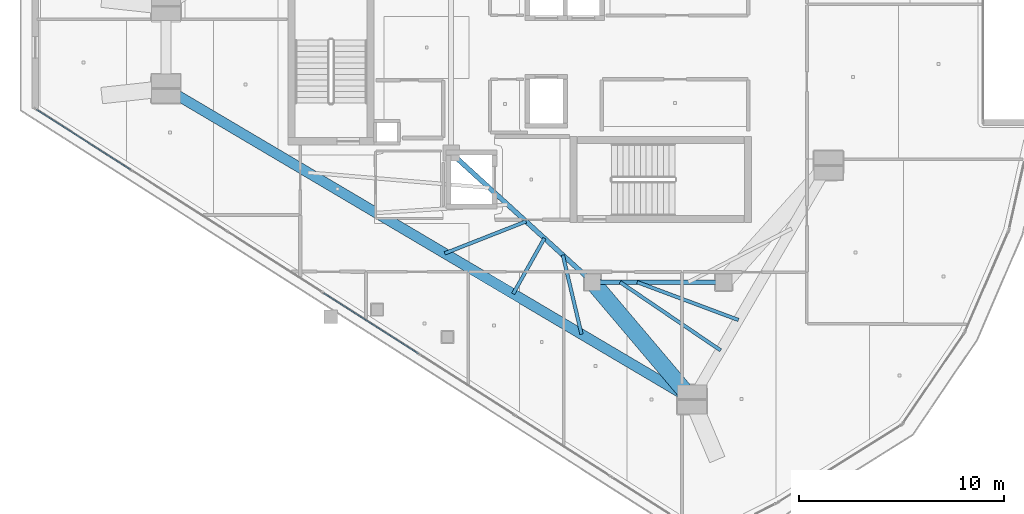
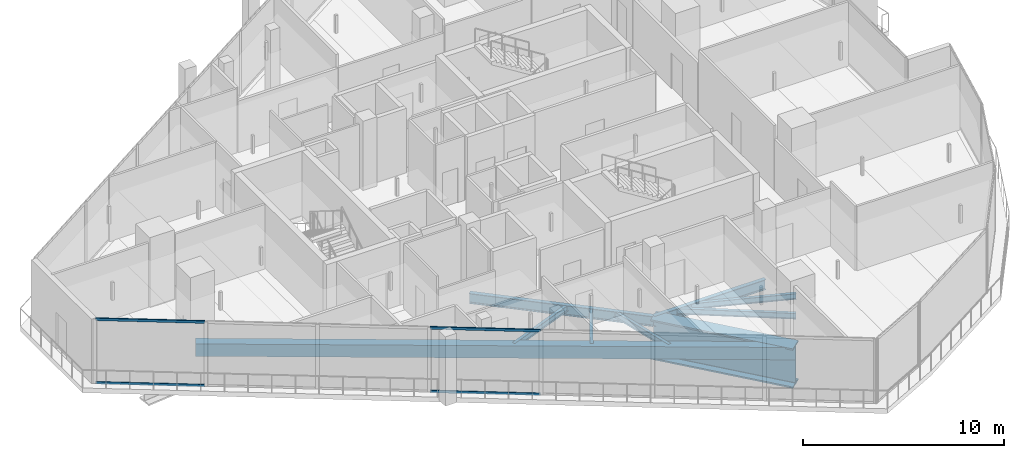
# One storey, part 4 of 29: 9 beams, 4 members, 1 element without a shape of its own.
"""IFC4 building model written with IfcOpenShell, lengths in metres."""

from ifc_helpers import new_model, si_unit, direction, frame, origin, origin_2d, place, context, subcontext, project, spatial, rectangle, hollow_rectangle, i_section, extrude, material, layer, layer_set, material_profile, profile_set, type_object, element, aggregate, save


model = new_model("IFC4")

# Units and contexts
model_context = context("Model", 3, precision=1e-05, world=origin(), true_north=direction((0.0, 1.0)))
body_context = subcontext(model_context, "Body", "Model", "MODEL_VIEW")
ifc_project = project(units=[si_unit("LENGTHUNIT", "METRE"), si_unit("AREAUNIT", "SQUARE_METRE"), si_unit("VOLUMEUNIT", "CUBIC_METRE"), si_unit("PLANEANGLEUNIT", "RADIAN"), si_unit("MASSUNIT", "GRAM", prefix="KILO")], contexts=[model_context])

# Site, building, storey
site_placement = place(None, origin())
site = spatial("IfcSite", under=ifc_project, at=site_placement, CompositionType="ELEMENT")
building_placement = place(site_placement, origin())
building = spatial("IfcBuilding", under=site, at=building_placement, Name="Qorvath Tower", CompositionType="ELEMENT")
storey_placement = place(building_placement, frame((0.0, 0.0, 285.0)))
storey = spatial("IfcBuildingStorey", under=building, at=storey_placement, Name="L66", CompositionType="ELEMENT", Elevation=285.0)

# Beams
ifc_material_1 = material(Name="Steel ASTM A992 Grade 50", Category="steel")
ifc_material_profile_1 = material_profile(ifc_material_1, i_section(OverallWidth=0.22998046875, OverallDepth=0.616943359375, WebThickness=0.01318359375, FlangeThickness=0.022216796875, FilletRadius=0.014892578125, at=origin_2d()), Name="W24x94")
ifc_profile_set_1 = profile_set([ifc_material_profile_1], Name="Steel ASTM A992 Grade 50")
beam_type_1 = type_object("IfcBeamType", Name="BM-FG6", PredefinedType="BEAM", material=ifc_profile_set_1)
beam_1_placement = place(storey_placement, frame((-17.199951171875, -11.449951171875, -0.598388671875), z_axis=(-1.0, 0.0, 0.0), x_axis=(0.0, -1.0, 0.0)))
element("IfcBeam", 1, at=beam_1_placement, inside=storey, type_object=beam_type_1, Name="Core Ring Girder CC3-CC4 L66", PredefinedType="BEAM", context=body_context, shape_type="SweptSolid", body=[
    extrude(i_section(OverallWidth=0.22998046875, OverallDepth=0.616943359375, WebThickness=0.01318359375, FlangeThickness=0.022216796875, FilletRadius=0.014892578125, at=origin_2d()), origin(), (0.0, 0.0, 1.0), 6.400146484375),
])
beam_2_placement = place(storey_placement, frame((-23.60009765625, -11.449951171875, -0.598388671875), z_axis=(-0.73847813985, 0.6742774184, 0.0), x_axis=(-0.6742774184, -0.73847813985, 0.0)))
element("IfcBeam", 2, at=beam_2_placement, inside=storey, type_object=beam_type_1, Name="Core Ring Girder CC4-CC6 L66", PredefinedType="BEAM", context=body_context, shape_type="SweptSolid", body=[
    extrude(i_section(OverallWidth=0.22998046875, OverallDepth=0.616943359375, WebThickness=0.01318359375, FlangeThickness=0.022216796875, FilletRadius=0.014892578125, at=origin_2d()), origin(), (0.0, 0.0, 1.0), 9.343505859375),
])
ifc_material_2 = material(Name="Steel ASTM A992 Grade 50", Category="steel")
ifc_material_profile_2 = material_profile(ifc_material_2, i_section(OverallWidth=0.1708984375, OverallDepth=0.35107421875, WebThickness=0.0068359375, FlangeThickness=0.009765625, FilletRadius=0.010009765625, at=origin_2d()), Name="W14x30")
ifc_profile_set_2 = profile_set([ifc_material_profile_2], Name="Steel ASTM A992 Grade 50")
beam_type_2 = type_object("IfcBeamType", Name="BM-FJ4", PredefinedType="JOIST", material=ifc_profile_set_2)
beam_3_placement = place(storey_placement, frame((-21.424072265625, -11.449951171875, -0.465576171875), z_axis=(0.936775909139, -0.349929844478, 0.0), x_axis=(0.349929844478, 0.936775909139, 0.0)))
element("IfcBeam", 3, at=beam_3_placement, inside=storey, type_object=beam_type_2, Name="Composite Floor Joist SE5 L66", PredefinedType="JOIST", context=body_context, shape_type="SweptSolid", body=[
    extrude(i_section(OverallWidth=0.1708984375, OverallDepth=0.35107421875, WebThickness=0.0068359375, FlangeThickness=0.009765625, FilletRadius=0.010009765625, at=origin_2d()), origin(), (0.0, 0.0, 1.0), 5.268798828125),
])
beam_4_placement = place(storey_placement, frame((-22.256103515625, -11.449951171875, -0.465576171875), z_axis=(0.827400561462, -0.56161224247, 0.0), x_axis=(0.56161224247, 0.827400561462, 0.0)))
element("IfcBeam", 4, at=beam_4_placement, inside=storey, type_object=beam_type_2, Name="Composite Floor Joist SE6 L66", PredefinedType="JOIST", context=body_context, shape_type="SweptSolid", body=[
    extrude(i_section(OverallWidth=0.1708984375, OverallDepth=0.35107421875, WebThickness=0.0068359375, FlangeThickness=0.009765625, FilletRadius=0.010009765625, at=origin_2d()), origin(), (0.0, 0.0, 1.0), 5.925537109375),
])
beam_5_placement = place(storey_placement, frame((-26.843017578125, -8.489013671875, -0.465576171875), z_axis=(-0.930720832638, -0.365730408489, 0.0), x_axis=(0.365730408489, -0.930720832638, 0.0)))
element("IfcBeam", 5, at=beam_5_placement, inside=storey, type_object=beam_type_2, Name="Composite Floor Joist SW4 L66", PredefinedType="JOIST", context=body_context, shape_type="SweptSolid", body=[
    extrude(i_section(OverallWidth=0.1708984375, OverallDepth=0.35107421875, WebThickness=0.0068359375, FlangeThickness=0.009765625, FilletRadius=0.010009765625, at=origin_2d()), origin(), (0.0, 0.0, 1.0), 4.259033203125),
])
beam_6_placement = place(storey_placement, frame((-25.946044921875, -9.30810546875, -0.465576171875), z_axis=(-0.490626385489, -0.871370041866, 0.0), x_axis=(0.871370041866, -0.490626385489, 0.0)))
element("IfcBeam", 6, at=beam_6_placement, inside=storey, type_object=beam_type_2, Name="Composite Floor Joist SW5 L66", PredefinedType="JOIST", context=body_context, shape_type="SweptSolid", body=[
    extrude(i_section(OverallWidth=0.1708984375, OverallDepth=0.35107421875, WebThickness=0.0068359375, FlangeThickness=0.009765625, FilletRadius=0.010009765625, at=origin_2d()), origin(), (0.0, 0.0, 1.0), 3.110595703125),
])
beam_7_placement = place(storey_placement, frame((-25.049072265625, -10.126953125, -0.465576171875), z_axis=(0.22966321917, -0.973270160726, 0.0), x_axis=(0.973270160726, 0.22966321917, 0.0)))
element("IfcBeam", 7, at=beam_7_placement, inside=storey, type_object=beam_type_2, Name="Composite Floor Joist SW6 L66", PredefinedType="JOIST", context=body_context, shape_type="SweptSolid", body=[
    extrude(i_section(OverallWidth=0.1708984375, OverallDepth=0.35107421875, WebThickness=0.0068359375, FlangeThickness=0.009765625, FilletRadius=0.010009765625, at=origin_2d()), origin(), (0.0, 0.0, 1.0), 3.969482421875),
])
ifc_material_3 = material(Name="Concrete C45/55", Category="concrete")
ifc_material_profile_3 = material_profile(ifc_material_3, rectangle(XDim=0.5, YDim=0.75, at=origin_2d()), Name="RCB 750x500")
ifc_profile_set_3 = profile_set([ifc_material_profile_3], Name="Concrete C45/55")
beam_type_3 = type_object("IfcBeamType", Name="BM-RCB3", PredefinedType="SPANDREL", material=ifc_profile_set_3)
beam_8_placement = place(storey_placement, frame((-44.402587890625, -2.007568359375, -0.6650390625), z_axis=(0.860780849348, -0.508975765038, 0.0), x_axis=(0.508975765038, 0.860780849348, 0.0)))
element("IfcBeam", 8, at=beam_8_placement, inside=storey, type_object=beam_type_3, Name="Perimeter Loggia Frame Beam MC2-MC3 L66", PredefinedType="SPANDREL", context=body_context, shape_type="SweptSolid", body=[
    extrude(rectangle(XDim=0.5, YDim=0.75, at=origin_2d()), origin(), (0.0, 0.0, 1.0), 29.801025390625),
])
ifc_material_4 = material(Name="Steel ASTM A572 Grade 50", Category="steel")
ifc_material_profile_4 = material_profile(ifc_material_4, i_section(OverallWidth=0.800048828125, OverallDepth=2.39990234375, WebThickness=0.044921875, FlangeThickness=0.090087890625, FilletRadius=0.02490234375, at=origin_2d()), Name="WTG 2400x800")
ifc_profile_set_4 = profile_set([ifc_material_profile_4], Name="Steel ASTM A572 Grade 50")
beam_type_4 = type_object("IfcBeamType", Name="BM-TG2", PredefinedType="BEAM", material=ifc_profile_set_4)
beam_9_placement = place(storey_placement, frame((-18.75048828125, -17.175537109375, -1.489990234375), z_axis=(-0.646321389876, 0.763065305848, 0.0), x_axis=(-0.763065305848, -0.646321389876, 0.0)))
element("IfcBeam", 9, at=beam_9_placement, inside=storey, type_object=beam_type_4, Name="Zone Step Transfer Girder CC4-MC3 L66", PredefinedType="BEAM", context=body_context, shape_type="SweptSolid", body=[
    extrude(i_section(OverallWidth=0.800048828125, OverallDepth=2.39990234375, WebThickness=0.044921875, FlangeThickness=0.090087890625, FilletRadius=0.02490234375, at=origin_2d()), origin(), (0.0, 0.0, 1.0), 7.50341796875),
])

# Curtain wall, members
ifc_material_5 = material(Name="Anodised aluminium and triple low-E glass", Category="aluminium")
ifc_layer = layer(ifc_material_5, 0.179931640625)
ifc_layer_set = layer_set([ifc_layer], Name="CW-SYS-4")
curtain_wall_type = type_object("IfcCurtainWallType", Name="CW-SYS-4", PredefinedType="NOTDEFINED", material=ifc_layer_set)
curtain_wall_placement = place(storey_placement, origin())
curtain_wall = element("IfcCurtainWall", 10, at=curtain_wall_placement, inside=storey, type_object=curtain_wall_type, Name="Curtain Wall CW-4 CW-T-L66-2.1", PredefinedType="NOTDEFINED")
ifc_material_6 = material(Name="Anodised aluminium 6063-T6", Category="aluminium")
ifc_material_profile_5 = material_profile(ifc_material_6, hollow_rectangle(XDim=0.06494140625, YDim=0.159912109375, WallThickness=0.00341796875, InnerFilletRadius=0.00341796875, OuterFilletRadius=0.007080078125, at=origin_2d()), Name="CWT 160x65")
ifc_profile_set_5 = profile_set([ifc_material_profile_5], Name="Anodised aluminium 6063-T6")
member_type = type_object("IfcMemberType", Name="CWT-160", PredefinedType="USERDEFINED", material=ifc_profile_set_5)
member_1_placement = place(storey_placement, frame((-50.719970703125, -3.031494140625, 0.032470703125), z_axis=(0.842593905123, -0.538549450886, 0.0), x_axis=(0.538549450886, 0.842593905123, 0.0)))
member_1 = element("IfcMember", 11, at=member_1_placement, type_object=member_type, Name="CW-4 transom 1.1", ObjectType="TRANSOM", PredefinedType="USERDEFINED", context=body_context, shape_type="SweptSolid", body=[
    extrude(hollow_rectangle(XDim=0.06494140625, YDim=0.159912109375, WallThickness=0.00341796875, InnerFilletRadius=0.00341796875, OuterFilletRadius=0.007080078125, at=origin_2d()), origin(), (0.0, 0.0, 1.0), 5.44189453125),
])
member_2_placement = place(storey_placement, frame((-50.719970703125, -3.031494140625, 3.87744140625), z_axis=(0.842593905123, -0.538549450886, 0.0), x_axis=(0.538549450886, 0.842593905123, 0.0)))
member_2 = element("IfcMember", 12, at=member_2_placement, type_object=member_type, Name="CW-4 transom 1.2", ObjectType="TRANSOM", PredefinedType="USERDEFINED", context=body_context, shape_type="SweptSolid", body=[
    extrude(hollow_rectangle(XDim=0.06494140625, YDim=0.159912109375, WallThickness=0.00341796875, InnerFilletRadius=0.00341796875, OuterFilletRadius=0.007080078125, at=origin_2d()), origin(), (0.0, 0.0, 1.0), 5.44189453125),
])
member_3_placement = place(storey_placement, frame((-36.7119140625, -11.984619140625, 0.032470703125), z_axis=(0.842615950321, -0.538514958256, 0.0), x_axis=(0.538514958256, 0.842615950321, 0.0)))
member_3 = element("IfcMember", 13, at=member_3_placement, type_object=member_type, Name="CW-4 transom 4.1", ObjectType="TRANSOM", PredefinedType="USERDEFINED", context=body_context, shape_type="SweptSolid", body=[
    extrude(hollow_rectangle(XDim=0.06494140625, YDim=0.159912109375, WallThickness=0.00341796875, InnerFilletRadius=0.00341796875, OuterFilletRadius=0.007080078125, at=origin_2d()), origin(), (0.0, 0.0, 1.0), 5.479248046875),
])
member_4_placement = place(storey_placement, frame((-36.7119140625, -11.984619140625, 3.87744140625), z_axis=(0.842615950321, -0.538514958256, 0.0), x_axis=(0.538514958256, 0.842615950321, 0.0)))
member_4 = element("IfcMember", 14, at=member_4_placement, type_object=member_type, Name="CW-4 transom 4.2", ObjectType="TRANSOM", PredefinedType="USERDEFINED", context=body_context, shape_type="SweptSolid", body=[
    extrude(hollow_rectangle(XDim=0.06494140625, YDim=0.159912109375, WallThickness=0.00341796875, InnerFilletRadius=0.00341796875, OuterFilletRadius=0.007080078125, at=origin_2d()), origin(), (0.0, 0.0, 1.0), 5.479248046875),
])
aggregate(curtain_wall, [member_1, member_2, member_3, member_4])

save(model, "model.ifc")
